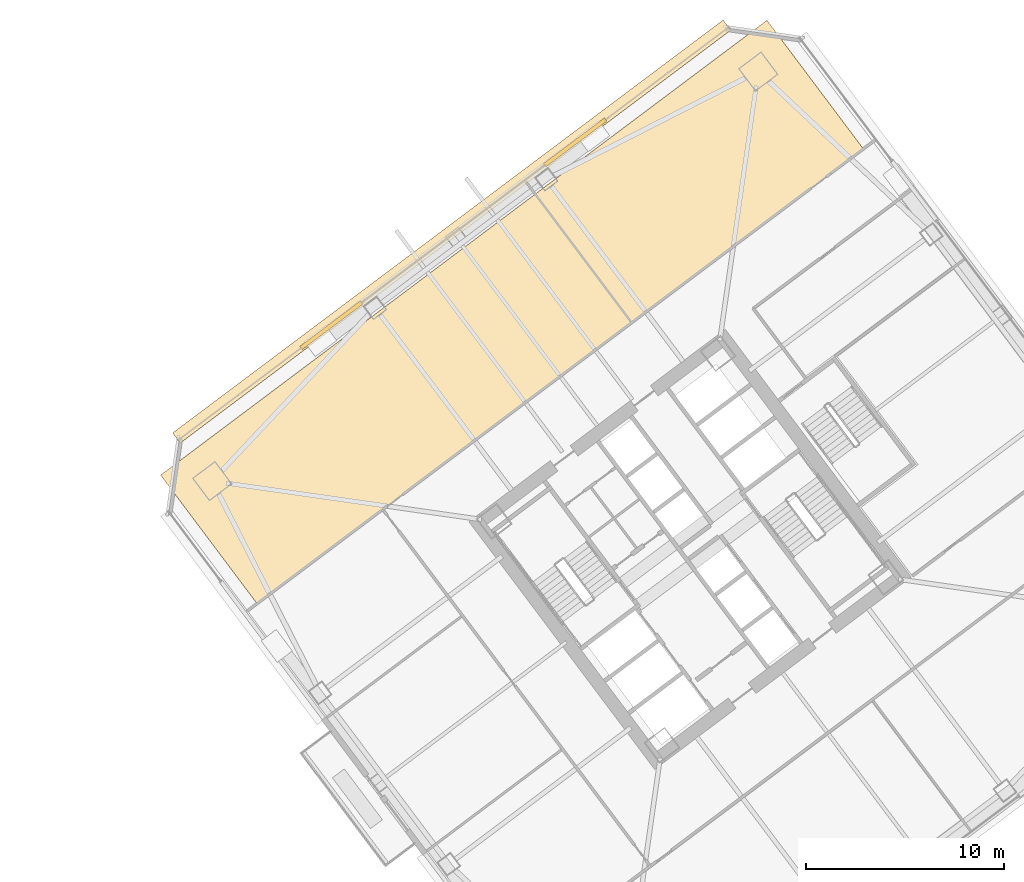
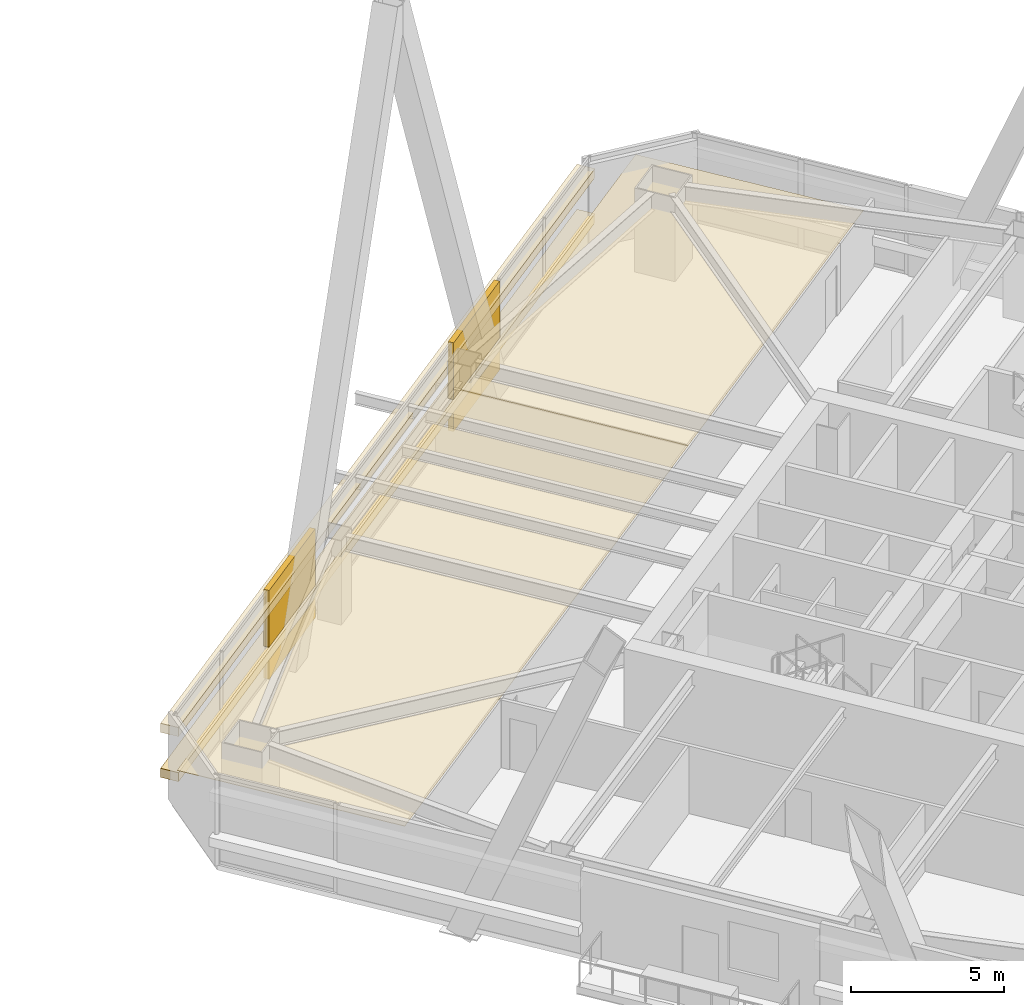
# One storey, part 53 of 54: 6 coverings.
"""IFC4 building model written with IfcOpenShell, lengths in metres."""

from ifc_helpers import new_model, si_unit, direction, frame, origin, origin_2d, place, context, subcontext, project, spatial, polyline, rectangle, outline, extrude, material, layer, layer_set, type_object, element, save


model = new_model("IFC4")

# Units and contexts
model_context = context("Model", 3, precision=1e-05, world=origin(), true_north=direction((0.0, 1.0)))
body_context = subcontext(model_context, "Body", "Model", "MODEL_VIEW")
ifc_project = project(units=[si_unit("LENGTHUNIT", "METRE"), si_unit("AREAUNIT", "SQUARE_METRE"), si_unit("VOLUMEUNIT", "CUBIC_METRE"), si_unit("PLANEANGLEUNIT", "RADIAN"), si_unit("MASSUNIT", "GRAM", prefix="KILO")], contexts=[model_context])

# Site, building, storey
site_placement = place(None, origin())
site = spatial("IfcSite", under=ifc_project, at=site_placement, CompositionType="ELEMENT")
building_placement = place(site_placement, origin())
building = spatial("IfcBuilding", under=site, at=building_placement, Name="Tashvorn Skyway Center", CompositionType="ELEMENT")
storey_placement = place(building_placement, frame((0.0, 0.0, 88.5)))
storey = spatial("IfcBuildingStorey", under=building, at=storey_placement, Name="L23", CompositionType="ELEMENT", Elevation=88.5)

# Coverings
ifc_material_1 = material(Name="Precast concrete C40/50", Category="concrete")
ifc_layer_1 = layer(ifc_material_1, 0.199951171875)
ifc_layer_set_1 = layer_set([ifc_layer_1], Name="Precast concrete C40/50")
covering_type_1 = type_object("IfcCoveringType", Name="COV-BRACE-CLAD", PredefinedType="CLADDING", material=ifc_layer_set_1)
for number, where, z_axis, x_axis, name in (
    (1, (95.927978515625, 43.2958984375, 0.0), (0.0, 0.0, 1.0), (0.799999996291, 0.600000004945, 0.0), "Tower 2 L23 North Unitised Curtain Wall Mega-Brace Cladding Band 1"),
    (2, (108.216064453125, 52.511962890625, 0.0), (0.0, 0.0, 1.0), (0.799999996291, 0.600000004945, 0.0), "Tower 2 L23 North Unitised Curtain Wall Mega-Brace Cladding Band 2"),
):
    element("IfcCovering", number, at=place(storey_placement, frame(where, z_axis=z_axis, x_axis=x_axis)), inside=storey, type_object=covering_type_1, Name=name, PredefinedType="CLADDING", context=body_context, shape_type="SweptSolid", body=[
        extrude(rectangle(XDim=3.840087890625, YDim=0.199951171875, at=origin_2d()), origin(), (0.0, 0.0, 1.0), 3.550048828125),
    ])
ifc_material_2 = material(Name="Mineral-fibre acoustic ceiling tile on suspended grid")
ifc_layer_2 = layer(ifc_material_2, 0.02001953125)
ifc_layer_set_2 = layer_set([ifc_layer_2], Name="Mineral-fibre acoustic ceiling tile on suspended grid")
covering_type_2 = type_object("IfcCoveringType", Name="COV-CEIL-20", PredefinedType="CEILING", material=ifc_layer_set_2)
covering_1_placement = place(storey_placement, frame((0.0, 0.0, 2.68310546875)))
element("IfcCovering", 3, at=covering_1_placement, inside=storey, type_object=covering_type_2, Name="Tower 2 L23 Wellness Clinic Acoustic Ceiling", PredefinedType="CEILING", context=body_context, shape_type="SweptSolid", body=[
    extrude(outline(polyline([(92.179931640625, 29.260009765625), (111.06005859375, 43.419921875), (106.199951171875, 49.89990234375), (87.320068359375, 35.739990234375), (92.179931640625, 29.260009765625)])), origin(), (0.0, 0.0, 1.0), 0.019775390625),
])
covering_2_placement = place(storey_placement, frame((0.0, 0.0, 2.68310546875)))
element("IfcCovering", 4, at=covering_2_placement, inside=storey, type_object=covering_type_2, Name="Tower 2 L23 Wellness Clinic Acoustic Ceiling", PredefinedType="CEILING", context=body_context, shape_type="SweptSolid", body=[
    extrude(outline(polyline([(111.06005859375, 43.419921875), (122.739990234375, 52.179931640625), (117.8798828125, 58.659912109375), (106.199951171875, 49.89990234375), (111.06005859375, 43.419921875)])), origin(), (0.0, 0.0, 1.0), 0.019775390625),
])
ifc_material_3 = material(Name="Perforated ceramic-coated bronze aluminium solar screen", Category="aluminium")
ifc_layer_3 = layer(ifc_material_3, 0.85009765625)
ifc_layer_set_3 = layer_set([ifc_layer_3], Name="Perforated ceramic-coated bronze aluminium solar screen")
covering_type_3 = type_object("IfcCoveringType", Name="COV-SOLAR-BAND", PredefinedType="CLADDING", material=ifc_layer_set_3)
for number, where, z_axis, x_axis, name in (
    (5, (101.988037109375, 48.01611328125, 0.919921875), (0.0, 0.0, 1.0), (0.799999996291, 0.600000004945, 0.0), "L23 Perforated Ceramic-Metal Solar Screen Louvre Band North 1"),
    (6, (101.988037109375, 48.01611328125, 2.7197265625), (0.0, 0.0, 1.0), (0.799999996291, 0.600000004945, 0.0), "L23 Perforated Ceramic-Metal Solar Screen Louvre Band North 2"),
):
    element("IfcCovering", number, at=place(storey_placement, frame(where, z_axis=z_axis, x_axis=x_axis)), inside=storey, type_object=covering_type_3, Name=name, PredefinedType="CLADDING", context=body_context, shape_type="SweptSolid", body=[
        extrude(rectangle(XDim=34.679931640625, YDim=0.639892578125, at=origin_2d()), origin(), (0.0, 0.0, 1.0), 0.360107421875),
    ])

save(model, "model.ifc")
